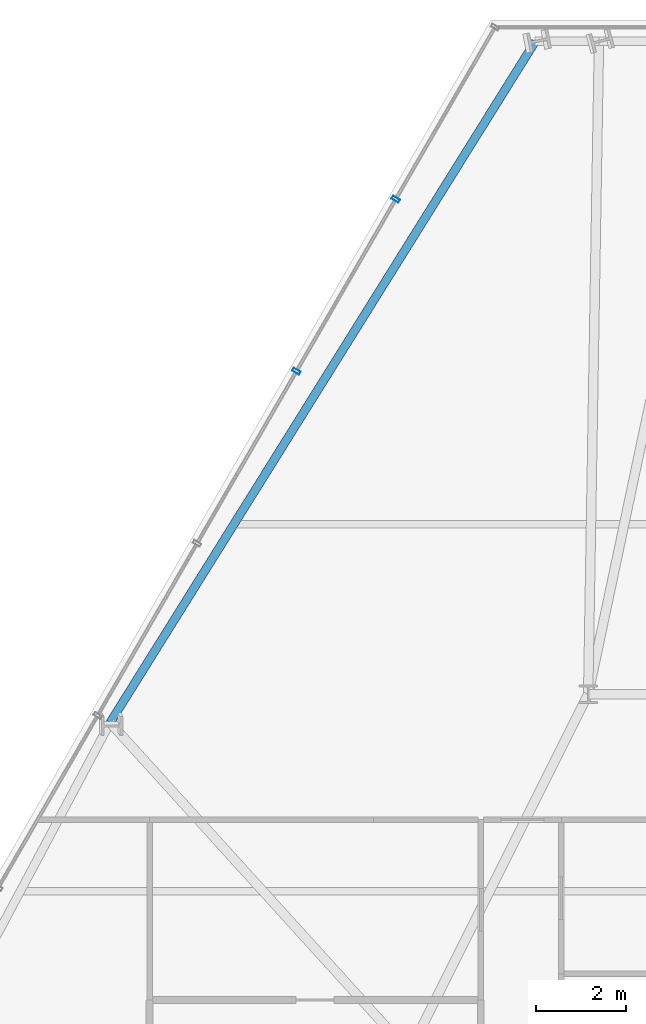
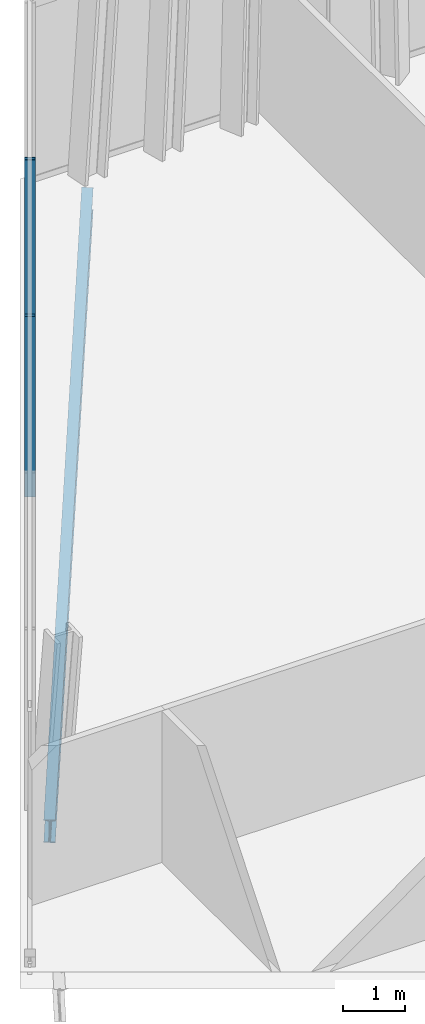
# One storey, part 20 of 31: 2 members, 1 beam, 1 element without a shape of its own.
"""IFC4 building model written with IfcOpenShell, lengths in metres."""

import ifcopenshell
import ifcopenshell.guid

model = None  # the IFC model being written
_history = None  # IfcOwnerHistory: only IFC2X3 demands one
_inside = {}  # id of a spatial element -> (the spatial element, [elements in it])
_under = {}  # id of a project, library or spatial element -> (it, [spatial elements below it])
_declared = {}  # id of a project -> (the project, [libraries it declares])
_typed = {}  # id of a type object -> (the type object, [elements of that type])
_made_of = {}  # id of a material, layer set ... -> (it, [elements and type objects made of it])


def new_model(schema):
    """Start an empty IFC model of exactly this schema.

    Asked for "IFC4X3", IfcOpenShell would pick the latest addendum, in which some entities
    have other attributes; the version numbers below select the first issue.
    IFC2X3 requires an IfcOwnerHistory on every rooted entity: one is made here for all.
    """
    global model, _history
    if schema == "IFC4X3":
        model = ifcopenshell.file(schema_version=(4, 3, 0, 0))
    else:
        model = ifcopenshell.file(schema=schema)
    _inside.clear()
    _under.clear()
    _declared.clear()
    _typed.clear()
    _made_of.clear()
    _history = None
    if model.schema == "IFC2X3":
        org = make("IfcOrganization", Name="unknown")
        user = make(
            "IfcPersonAndOrganization",
            ThePerson=make("IfcPerson", FamilyName="unknown"),
            TheOrganization=org,
        )
        app = make(
            "IfcApplication",
            ApplicationDeveloper=org,
            Version="unknown",
            ApplicationFullName="unknown",
            ApplicationIdentifier="unknown",
        )
        _history = make(
            "IfcOwnerHistory",
            OwningUser=user,
            OwningApplication=app,
            ChangeAction="ADDED",
            CreationDate=0,
        )
    return model


def make(cls, **values):
    """One entity of the class cls with the attributes given. An attribute that is None is left unset."""
    return model.create_entity(
        cls, **{name: value for name, value in values.items() if value is not None}
    )


def rooted(cls, **values):
    """An entity with a GlobalId (a new one), such as an element, a storey or a relation."""
    return make(cls, GlobalId=ifcopenshell.guid.new(), OwnerHistory=_history, **values)


def si_unit(unit_type, name, prefix=None):
    """IfcSIUnit, for example si_unit("LENGTHUNIT", "METRE", prefix="MILLI")."""
    return make("IfcSIUnit", UnitType=unit_type, Prefix=prefix, Name=name)


def assignment(units):
    """IfcUnitAssignment: the units of a project."""
    return None if units is None else make("IfcUnitAssignment", Units=units)


def point(xyz):
    """IfcCartesianPoint."""
    return None if xyz is None else make("IfcCartesianPoint", Coordinates=xyz)


def direction(xyz):
    """IfcDirection."""
    return None if xyz is None else make("IfcDirection", DirectionRatios=xyz)


def frame(location, z_axis=None, x_axis=None):
    """IfcAxis2Placement3D, a coordinate frame: its origin and axes. An axis left out is left unset."""
    return make(
        "IfcAxis2Placement3D",
        Location=point(location),
        Axis=direction(z_axis),
        RefDirection=direction(x_axis),
    )


def frame_2d(location, x_axis=None):
    """IfcAxis2Placement2D, a coordinate frame in the plane: its origin and x axis."""
    return make(
        "IfcAxis2Placement2D", Location=point(location), RefDirection=direction(x_axis)
    )


def origin():
    """The frame at (0, 0, 0) with its axes left unset."""
    return frame((0.0, 0.0, 0.0))


def origin_2d():
    """The frame at (0, 0) in the plane with its x axis left unset."""
    return frame_2d((0.0, 0.0))


def place(relative_to, where):
    """IfcLocalPlacement: puts the frame where relative to a parent placement (None: the world)."""
    return make(
        "IfcLocalPlacement", PlacementRelTo=relative_to, RelativePlacement=where
    )


def context(
    kind, dimensions, precision=None, world=None, true_north=None, identifier=None
):
    """IfcGeometricRepresentationContext, for example the 3D "Model" context."""
    return make(
        "IfcGeometricRepresentationContext",
        ContextIdentifier=identifier,
        ContextType=kind,
        CoordinateSpaceDimension=dimensions,
        Precision=precision,
        WorldCoordinateSystem=world,
        TrueNorth=true_north,
    )


def subcontext(parent, identifier, kind, view, scale=None):
    """IfcGeometricRepresentationSubContext, for example "Body" below "Model"."""
    return make(
        "IfcGeometricRepresentationSubContext",
        ContextIdentifier=identifier,
        ContextType=kind,
        ParentContext=parent,
        TargetScale=scale,
        TargetView=view,
    )


def project(units=None, contexts=None):
    """IfcProject with its units and contexts."""
    return rooted(
        "IfcProject",
        Name="project",
        RepresentationContexts=contexts,
        UnitsInContext=assignment(units),
    )


def spatial(cls, under=None, at=None, **own):
    """A site, building, storey or space (cls), placed at a placement, below another one or the project."""
    s = rooted(cls, ObjectPlacement=at, **own)
    if under is not None:
        _under.setdefault(under.id(), (under, []))[1].append(s)
    return s


def profile(cls, at=None, kind="AREA", **sizes):
    """A parametric profile (cls). Its sizes go by their IFC names, for example OverallWidth=200.0."""
    return make(cls, ProfileType=kind, Position=at, **sizes)


def hollow_rectangle(**sizes):
    """IfcRectangleHollowProfileDef."""
    return profile("IfcRectangleHollowProfileDef", **sizes)


def i_section(**sizes):
    """IfcIShapeProfileDef."""
    return profile("IfcIShapeProfileDef", **sizes)


def extrude(swept, where, along, depth):
    """IfcExtrudedAreaSolid: the profile swept, set in the frame where, extruded along a direction by depth."""
    return make(
        "IfcExtrudedAreaSolid",
        SweptArea=swept,
        Position=where,
        ExtrudedDirection=direction(along),
        Depth=depth,
    )


def shape(context_of_items, identifier, shape_type, items):
    """IfcShapeRepresentation: the items that make up one representation, for example the "Body"."""
    return make(
        "IfcShapeRepresentation",
        ContextOfItems=context_of_items,
        RepresentationIdentifier=identifier,
        RepresentationType=shape_type,
        Items=items,
    )


def material(Name=None, Category=None):
    """IfcMaterial."""
    return make("IfcMaterial", Name=Name, Category=Category)


def layer(
    of_material, thickness, ventilated=None, Name=None, Category=None, Priority=None
):
    """IfcMaterialLayer: one layer of a wall or slab, of a material (None: an air gap)."""
    return make(
        "IfcMaterialLayer",
        Material=of_material,
        LayerThickness=thickness,
        IsVentilated=ventilated,
        Name=Name,
        Category=Category,
        Priority=Priority,
    )


def layer_set(layers, Name=None):
    """IfcMaterialLayerSet."""
    return make("IfcMaterialLayerSet", MaterialLayers=layers, LayerSetName=Name)


def material_profile(
    of_material, cross_section, Name=None, Category=None, Priority=None
):
    """IfcMaterialProfile: a cross section and its material."""
    return make(
        "IfcMaterialProfile",
        Name=Name,
        Material=of_material,
        Profile=cross_section,
        Priority=Priority,
        Category=Category,
    )


def profile_set(profiles, Name=None, composite=None):
    """IfcMaterialProfileSet."""
    return make(
        "IfcMaterialProfileSet",
        Name=Name,
        MaterialProfiles=profiles,
        CompositeProfile=composite,
    )


def made_of(thing, what):
    """Note that an element or type object is made of a material, layer set ...; save() writes the relation."""
    if what is not None:
        _made_of.setdefault(what.id(), (what, []))[1].append(thing)
    return thing


def type_object(cls, material=None, **own):
    """A type object (cls), such as IfcWallType, which elements share."""
    return made_of(rooted(cls, **own), material)


def element(
    cls,
    number,
    at=None,
    inside=None,
    cuts=None,
    type_object=None,
    material=None,
    context=None,
    identifier="Body",
    shape_type=None,
    held_by="IfcProductDefinitionShape",
    body=None,
    shapes=None,
    **own,
):
    """One element of the class cls, such as IfcWall. Its Tag is "e" and its number.

    at: its placement. inside: the storey or other place that contains it. cuts: it is an
    opening in that element (IfcRelVoidsElement). A single representation is given by context,
    identifier, shape_type and body (its items); several are given by shapes. held_by: the class
    of the entity that holds the representations. save() writes the other relations.
    """
    e = rooted(cls, Tag="e%d" % number, ObjectPlacement=at, **own)
    if body is not None:
        shapes = [shape(context, identifier, shape_type, body)]
    if shapes is not None:
        e.Representation = make(held_by, Representations=shapes)
    if inside is not None:
        _inside.setdefault(inside.id(), (inside, []))[1].append(e)
    if cuts is not None:
        rooted(
            "IfcRelVoidsElement", RelatingBuildingElement=cuts, RelatedOpeningElement=e
        )
    if type_object is not None:
        _typed.setdefault(type_object.id(), (type_object, []))[1].append(e)
    return made_of(e, material)


def aggregate(whole, parts):
    """IfcRelAggregates: a whole, such as a stair, and the parts it consists of."""
    return rooted("IfcRelAggregates", RelatingObject=whole, RelatedObjects=parts)


def save(model, path):
    """Write the relations noted so far, then the file.

    IfcRelAggregates (storeys below a building ...), IfcRelContainedInSpatialStructure (elements
    in a storey), IfcRelDefinesByType, IfcRelAssociatesMaterial and IfcRelDeclares: one each for
    every whole, place, type object, material and project.
    """
    for whole, parts in _under.values():
        aggregate(whole, parts)
    for where, things in _inside.values():
        rooted(
            "IfcRelContainedInSpatialStructure",
            RelatedElements=things,
            RelatingStructure=where,
        )
    for kind, things in _typed.values():
        rooted("IfcRelDefinesByType", RelatedObjects=things, RelatingType=kind)
    for what, things in _made_of.values():
        rooted("IfcRelAssociatesMaterial", RelatedObjects=things, RelatingMaterial=what)
    for by, libraries in _declared.values():
        rooted("IfcRelDeclares", RelatingContext=by, RelatedDefinitions=libraries)
    model.write(path)


model = new_model("IFC4")

# Units and contexts
model_context = context("Model", 3, precision=1e-05, world=origin(), true_north=direction((0.0, 1.0)))
body_context = subcontext(model_context, "Body", "Model", "MODEL_VIEW")
ifc_project = project(units=[si_unit("LENGTHUNIT", "METRE"), si_unit("AREAUNIT", "SQUARE_METRE"), si_unit("VOLUMEUNIT", "CUBIC_METRE"), si_unit("PLANEANGLEUNIT", "RADIAN"), si_unit("MASSUNIT", "GRAM", prefix="KILO")], contexts=[model_context])

# Site, building, storey
site_placement = place(None, origin())
site = spatial("IfcSite", under=ifc_project, at=site_placement, CompositionType="ELEMENT")
building_placement = place(site_placement, origin())
building = spatial("IfcBuilding", under=site, at=building_placement, Name="Ndaravel Arena Tower", CompositionType="ELEMENT")
storey_placement = place(building_placement, frame((0.0, 0.0, 146.0)))
storey = spatial("IfcBuildingStorey", under=building, at=storey_placement, Name="L34", CompositionType="ELEMENT", Elevation=146.0)

# Beam
ifc_material_1 = material(Name="Steel S355", Category="steel")
ifc_material_profile_1 = material_profile(ifc_material_1, i_section(OverallWidth=0.18994140625, OverallDepth=0.449951171875, WebThickness=0.009521484375, FlangeThickness=0.0146484375, FilletRadius=0.02099609375, at=origin_2d()), Name="IPE 450")
ifc_profile_set_1 = profile_set([ifc_material_profile_1], Name="Steel S355")
beam_type = type_object("IfcBeamType", Name="BM-SPAN-IPE450", PredefinedType="SPANDREL", material=ifc_profile_set_1)
beam_placement = place(storey_placement, frame((37.01708984375, 45.784912109375, -0.445068359375), z_axis=(-0.529460656286, -0.848334493844, 0.0), x_axis=(0.848334493844, -0.529460656286, 0.0)))
element("IfcBeam", 1, at=beam_placement, inside=storey, type_object=beam_type, Name="L34 Perimeter Spandrel Beam SP-18", PredefinedType="SPANDREL", context=body_context, shape_type="SweptSolid", body=[
    extrude(i_section(OverallWidth=0.18994140625, OverallDepth=0.449951171875, WebThickness=0.009521484375, FlangeThickness=0.0146484375, FilletRadius=0.02099609375, at=origin_2d()), origin(), (0.0, 0.0, 1.0), 17.94189453125),
])

# Curtain wall, members
ifc_material_2 = material(Name="Aluminium", Category="aluminium")
ifc_layer = layer(ifc_material_2, 0.179931640625)
ifc_layer_set = layer_set([ifc_layer], Name="Aluminium")
curtain_wall_type = type_object("IfcCurtainWallType", Name="CW-SYS-03", PredefinedType="NOTDEFINED", material=ifc_layer_set)
curtain_wall_placement = place(storey_placement, origin())
curtain_wall = element("IfcCurtainWall", 2, at=curtain_wall_placement, inside=storey, type_object=curtain_wall_type, Name="L34 Faceted Crystal Curtain Wall CW-L34-E05", PredefinedType="NOTDEFINED")
ifc_material_3 = material(Name="Aluminium", Category="aluminium")
ifc_material_profile_2 = material_profile(ifc_material_3, hollow_rectangle(XDim=0.074951171875, YDim=0.179931640625, WallThickness=0.00390625, at=origin_2d()), Name="CW MULLION 75x180x4")
ifc_profile_set_2 = profile_set([ifc_material_profile_2], Name="Aluminium")
member_type = type_object("IfcMemberType", Name="MEM-CW-MUL180", PredefinedType="MULLION", material=ifc_profile_set_2)
member_1_placement = place(storey_placement, frame((33.900634765625, 42.259765625, 0.0), z_axis=(0.0, 0.0, 1.0), x_axis=(-0.5, -0.866025403784, 0.0)))
member_1 = element("IfcMember", 3, at=member_1_placement, type_object=member_type, Name="CW-L34-E05 Mullion 01", PredefinedType="MULLION", context=body_context, shape_type="SweptSolid", body=[
    extrude(hollow_rectangle(XDim=0.074951171875, YDim=0.179931640625, WallThickness=0.00390625, at=origin_2d()), origin(), (0.0, 0.0, 1.0), 3.580078125),
])
member_2_placement = place(storey_placement, frame((31.6806640625, 38.41455078125, 0.0), z_axis=(0.0, 0.0, 1.0), x_axis=(-0.5, -0.866025403784, 0.0)))
member_2 = element("IfcMember", 4, at=member_2_placement, type_object=member_type, Name="CW-L34-E05 Mullion 02", PredefinedType="MULLION", context=body_context, shape_type="SweptSolid", body=[
    extrude(hollow_rectangle(XDim=0.074951171875, YDim=0.179931640625, WallThickness=0.00390625, at=origin_2d()), origin(), (0.0, 0.0, 1.0), 3.580078125),
])
aggregate(curtain_wall, [member_1, member_2])

save(model, "model.ifc")
